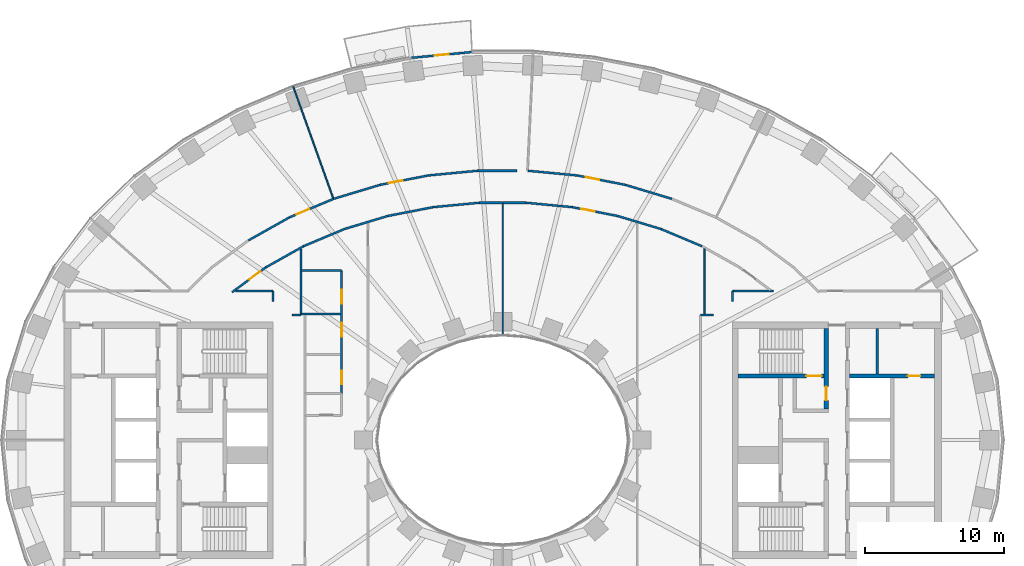
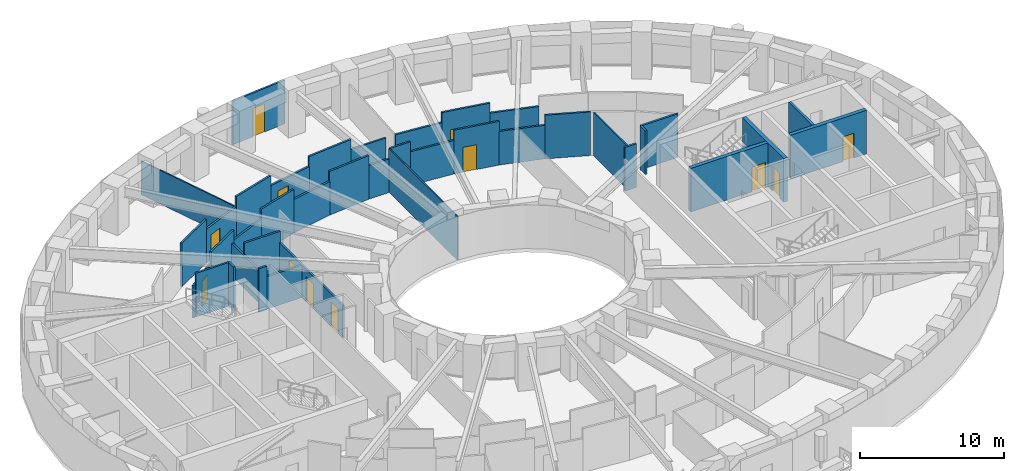
# One storey, part 6 of 16: 39 walls, 12 doors, 12 openings.
"""IFC4 building model written with IfcOpenShell, lengths in metres."""

from ifc_helpers import new_model, si_unit, direction, frame, frame_2d, origin, place, context, subcontext, project, spatial, rectangle, extrude, material, layer, layer_set, type_object, element, fill, save


model = new_model("IFC4")

# Units and contexts
model_context = context("Model", 3, precision=1e-05, world=origin(), true_north=direction((0.0, 1.0)))
body_context = subcontext(model_context, "Body", "Model", "MODEL_VIEW")
ifc_project = project(units=[si_unit("LENGTHUNIT", "METRE"), si_unit("AREAUNIT", "SQUARE_METRE"), si_unit("VOLUMEUNIT", "CUBIC_METRE"), si_unit("PLANEANGLEUNIT", "RADIAN"), si_unit("MASSUNIT", "GRAM", prefix="KILO")], contexts=[model_context])

# Site, building, storey
site_placement = place(None, origin())
site = spatial("IfcSite", under=ifc_project, at=site_placement, CompositionType="ELEMENT")
building_placement = place(site_placement, origin())
building = spatial("IfcBuilding", under=site, at=building_placement, Name="Noorbagh Ring Tower", CompositionType="ELEMENT")
storey_placement = place(building_placement, frame((0.0, 0.0, 78.5)))
storey = spatial("IfcBuildingStorey", under=building, at=storey_placement, Name="L17", CompositionType="ELEMENT", Elevation=78.5)

# Wall
ifc_material_1 = material(Name="Gypsum board on steel studs", Category="steel")
ifc_layer_1 = layer(ifc_material_1, 0.199951171875)
ifc_layer_set_1 = layer_set([ifc_layer_1], Name="Gypsum board on steel studs")
wall_type_1 = type_object("IfcWallType", Name="CORE-PARTITION-200", PredefinedType="PARTITIONING", material=ifc_layer_set_1)
wall_1_placement = place(storey_placement, frame((26.89990234375, 4.75, 0.0), z_axis=(0.0, 0.0, 1.0), x_axis=(0.0, 1.0, 0.0)))
element("IfcWall", 1, at=wall_1_placement, inside=storey, type_object=wall_type_1, Name="Core partition E", PredefinedType="PARTITIONING", context=body_context, shape_type="SweptSolid", body=[
    extrude(rectangle(XDim=3.25, YDim=0.199951171875, at=frame_2d((1.625, 0.0))), origin(), (0.0, 0.0, 1.0), 3.699951171875),
])

# Wall, opening, door
ifc_material_2 = material(Name="Concrete C70/85", Category="concrete")
ifc_layer_2 = layer(ifc_material_2, 0.300048828125)
ifc_layer_set_2 = layer_set([ifc_layer_2], Name="Concrete C70/85")
wall_type_2 = type_object("IfcWallType", Name="CORE-WALL-300-C70-85-EI240", PredefinedType="SHEAR", material=ifc_layer_set_2)
wall_2_placement = place(storey_placement, frame((24.89990234375, 4.60009765625, 0.0), z_axis=(0.0, 0.0, 1.0), x_axis=(1.0, 0.0, 0.0)))
wall_2 = element("IfcWall", 2, at=wall_2_placement, inside=storey, type_object=wall_type_2, Name="Core wall E", PredefinedType="SHEAR", context=body_context, shape_type="SweptSolid", body=[
    extrude(rectangle(XDim=6.10009765625, YDim=0.300048828125, at=frame_2d((3.050048828125, 0.0))), origin(), (0.0, 0.0, 1.0), 3.699951171875),
])
opening_1_placement = place(wall_2_placement, frame((4.199951171875, 0.0, 0.0)))
opening_1 = element("IfcOpeningElement", 3, at=opening_1_placement, cuts=wall_2, Name="Opening L17-CE16", PredefinedType="OPENING", context=body_context, shape_type="SweptSolid", body=[
    extrude(rectangle(XDim=0.89990234375, YDim=2.10009765625, at=frame_2d((0.449951171875, 1.050048828125))), frame((0.0, 0.16015625, 0.0), z_axis=(0.0, -1.0, 0.0), x_axis=(1.0, 0.0, 0.0)), (0.0, 0.0, 1.0), 0.320068359375),
])
ifc_material_3 = material(Name="Steel door leaf", Category="steel")
door_type_1 = type_object("IfcDoorType", Name="CORE-DOOR-DROOM", OperationType="SINGLE_SWING_LEFT", PredefinedType="DOOR", material=ifc_material_3)
door_1_placement = place(opening_1_placement, origin())
door_1 = element("IfcDoor", 4, at=door_1_placement, inside=storey, type_object=door_type_1, Name="Core room door L17-CE16", OperationType="SINGLE_SWING_RIGHT", OverallHeight=2.10009765625, OverallWidth=0.89990234375, PredefinedType="DOOR", context=body_context, shape_type="SweptSolid", body=[
    extrude(rectangle(XDim=0.89990234375, YDim=2.10009765625, at=frame_2d((0.449951171875, 1.050048828125))), frame((0.0, 0.02490234375, 0.0), z_axis=(0.0, -1.0, 0.0), x_axis=(1.0, 0.0, 0.0)), (0.0, 0.0, 1.0), 0.050048828125),
])
fill(opening_1, door_1)

wall_3_placement = place(storey_placement, frame((23.22998046875, 2.25, 0.0), z_axis=(0.0, 0.0, 1.0), x_axis=(0.0, 1.0, 0.0)))
wall_3 = element("IfcWall", 5, at=wall_3_placement, inside=storey, type_object=wall_type_2, Name="Core wall E", PredefinedType="SHEAR", context=body_context, shape_type="SweptSolid", body=[
    extrude(rectangle(XDim=5.75, YDim=0.300048828125, at=frame_2d((2.875, 0.0))), origin(), (0.0, 0.0, 1.0), 3.699951171875),
])
opening_2_placement = place(wall_3_placement, frame((0.60009765625, 0.0, 0.0)))
opening_2 = element("IfcOpeningElement", 6, at=opening_2_placement, cuts=wall_3, Name="Opening L17-CE08", PredefinedType="OPENING", context=body_context, shape_type="SweptSolid", body=[
    extrude(rectangle(XDim=1.0, YDim=2.10009765625, at=frame_2d((0.5, 1.050048828125))), frame((0.0, 0.16015625, 0.0), z_axis=(0.0, -1.0, 0.0), x_axis=(1.0, 0.0, 0.0)), (0.0, 0.0, 1.0), 0.320068359375),
])
ifc_material_4 = material(Name="Steel door leaf", Category="steel")
door_type_2 = type_object("IfcDoorType", Name="CORE-DOOR-DVEST", OperationType="SINGLE_SWING_LEFT", PredefinedType="DOOR", material=ifc_material_4)
door_2_placement = place(opening_2_placement, origin())
door_2 = element("IfcDoor", 7, at=door_2_placement, inside=storey, type_object=door_type_2, Name="Stair vestibule door L17-CE08", OperationType="SINGLE_SWING_RIGHT", OverallHeight=2.10009765625, OverallWidth=1.0, PredefinedType="DOOR", context=body_context, shape_type="SweptSolid", body=[
    extrude(rectangle(XDim=1.0, YDim=2.10009765625, at=frame_2d((0.5, 1.050048828125))), frame((0.0, 0.02490234375, 0.0), z_axis=(0.0, -1.0, 0.0), x_axis=(1.0, 0.0, 0.0)), (0.0, 0.0, 1.0), 0.050048828125),
])
fill(opening_2, door_2)

wall_4_placement = place(storey_placement, frame((16.89990234375, 4.60009765625, 0.0), z_axis=(0.0, 0.0, 1.0), x_axis=(1.0, 0.0, 0.0)))
wall_4 = element("IfcWall", 8, at=wall_4_placement, inside=storey, type_object=wall_type_2, Name="Core wall E", PredefinedType="SHEAR", context=body_context, shape_type="SweptSolid", body=[
    extrude(rectangle(XDim=6.18017578125, YDim=0.300048828125, at=frame_2d((3.090087890625, 0.0))), origin(), (0.0, 0.0, 1.0), 3.699951171875),
])
opening_3_placement = place(wall_4_placement, frame((4.89990234375, 0.0, 0.0)))
opening_3 = element("IfcOpeningElement", 9, at=opening_3_placement, cuts=wall_4, Name="Opening L17-CE05", PredefinedType="OPENING", context=body_context, shape_type="SweptSolid", body=[
    extrude(rectangle(XDim=1.10009765625, YDim=2.10009765625, at=frame_2d((0.550048828125, 1.050048828125))), frame((0.0, 0.16015625, 0.0), z_axis=(0.0, -1.0, 0.0), x_axis=(1.0, 0.0, 0.0)), (0.0, 0.0, 1.0), 0.320068359375),
])
ifc_material_5 = material(Name="Steel door leaf", Category="steel")
door_type_3 = type_object("IfcDoorType", Name="CORE-DOOR-DSTAIR", OperationType="SINGLE_SWING_LEFT", PredefinedType="DOOR", material=ifc_material_5)
door_3_placement = place(opening_3_placement, origin())
door_3 = element("IfcDoor", 10, at=door_3_placement, inside=storey, type_object=door_type_3, Name="Stair door ST3 L17-CE05", OperationType="SINGLE_SWING_LEFT", OverallHeight=2.10009765625, OverallWidth=1.10009765625, PredefinedType="DOOR", context=body_context, shape_type="SweptSolid", body=[
    extrude(rectangle(XDim=1.10009765625, YDim=2.10009765625, at=frame_2d((0.550048828125, 1.050048828125))), frame((0.0, 0.02490234375, 0.0), z_axis=(0.0, -1.0, 0.0), x_axis=(1.0, 0.0, 0.0)), (0.0, 0.0, 1.0), 0.050048828125),
])
fill(opening_3, door_3)

ifc_material_6 = material(Name="Gypsum board on steel studs", Category="steel")
ifc_layer_3 = layer(ifc_material_6, 0.14990234375)
ifc_layer_set_3 = layer_set([ifc_layer_3], Name="Gypsum board on steel studs")
wall_type_3 = type_object("IfcWallType", Name="CORRIDOR PARTITION 150 EI 30", PredefinedType="PARTITIONING", material=ifc_layer_set_3)
wall_5_placement = place(storey_placement, frame((-19.431884765625, 10.625, 0.0), z_axis=(0.0, 0.0, 1.0), x_axis=(0.805306738654, 0.592858378265, 0.0)))
wall_5 = element("IfcWall", 11, at=wall_5_placement, inside=storey, type_object=wall_type_3, Name="L17/wall/P13", PredefinedType="PARTITIONING", context=body_context, shape_type="SweptSolid", body=[
    extrude(rectangle(XDim=3.00732421875, YDim=0.14990234375, at=frame_2d((1.503662109375, 0.0))), origin(), (0.0, 0.0, 1.0), 2.75),
])
opening_4_placement = place(wall_5_placement, frame((1.526611328125, 0.0, 0.0)))
opening_4 = element("IfcOpeningElement", 12, at=opening_4_placement, cuts=wall_5, Name="Opening D1", PredefinedType="OPENING", context=body_context, shape_type="SweptSolid", body=[
    extrude(rectangle(XDim=1.0, YDim=2.10009765625, at=frame_2d((0.5, 1.050048828125))), frame((0.0, 0.0849609375, 0.0), z_axis=(0.0, -1.0, 0.0), x_axis=(1.0, 0.0, 0.0)), (0.0, 0.0, 1.0), 0.169921875),
])
ifc_material_7 = material(Name="Timber, painted", Category="wood")
door_type_4 = type_object("IfcDoorType", Name="DOOR 1000 X 2100 FD30", OperationType="SINGLE_SWING_LEFT", PredefinedType="DOOR", material=ifc_material_7)
door_4_placement = place(opening_4_placement, origin())
door_4 = element("IfcDoor", 13, at=door_4_placement, inside=storey, type_object=door_type_4, Name="L17-D17", OperationType="SINGLE_SWING_RIGHT", OverallHeight=2.10009765625, OverallWidth=1.0, PredefinedType="DOOR", context=body_context, shape_type="SweptSolid", body=[
    extrude(rectangle(XDim=1.0, YDim=2.10009765625, at=frame_2d((0.5, 1.050048828125))), frame((0.0, 0.02490234375, 0.0), z_axis=(0.0, -1.0, 0.0), x_axis=(1.0, 0.0, 0.0)), (0.0, 0.0, 1.0), 0.050048828125),
])
fill(opening_4, door_4)

# Walls
wall_6_placement = place(storey_placement, frame((-19.202880859375, 10.699951171875, 0.0), z_axis=(0.0, 0.0, 1.0), x_axis=(1.0, 0.0, 0.0)))
element("IfcWall", 14, at=wall_6_placement, inside=storey, type_object=wall_type_3, Name="L17/wall/P14", PredefinedType="PARTITIONING", context=body_context, shape_type="SweptSolid", body=[
    extrude(rectangle(XDim=2.702880859375, YDim=0.14990234375, at=frame_2d((1.3515625, 0.0))), origin(), (0.0, 0.0, 1.0), 3.699951171875),
])
wall_7_placement = place(storey_placement, frame((-18.260009765625, 14.343994140625, 0.0), z_axis=(0.0, 0.0, 1.0), x_axis=(0.871958798398, 0.489579262118, 0.0)))
element("IfcWall", 15, at=wall_7_placement, inside=storey, type_object=wall_type_3, Name="L17/wall/P16", PredefinedType="PARTITIONING", context=body_context, shape_type="SweptSolid", body=[
    extrude(rectangle(XDim=3.365966796875, YDim=0.14990234375, at=frame_2d((1.68310546875, 0.0))), origin(), (0.0, 0.0, 1.0), 3.699951171875),
])
wall_8_placement = place(storey_placement, frame((-17.010009765625, 12.407958984375, 0.0), z_axis=(0.0, 0.0, 1.0), x_axis=(0.871977874087, 0.489545286059, 0.0)))
element("IfcWall", 16, at=wall_8_placement, inside=storey, type_object=wall_type_3, Name="L17/wall/P18", PredefinedType="PARTITIONING", context=body_context, shape_type="SweptSolid", body=[
    extrude(rectangle(XDim=3.093017578125, YDim=0.14990234375, at=frame_2d((1.54638671875, 0.0))), origin(), (0.0, 0.0, 1.0), 3.699951171875),
])
wall_9_placement = place(storey_placement, frame((-16.5, 9.964111328125, 0.0), z_axis=(0.0, 0.0, 1.0), x_axis=(0.0, 1.0, 0.0)))
element("IfcWall", 17, at=wall_9_placement, inside=storey, type_object=wall_type_3, Name="L17/wall/P20", PredefinedType="PARTITIONING", context=body_context, shape_type="SweptSolid", body=[
    extrude(rectangle(XDim=0.73583984375, YDim=0.14990234375, at=frame_2d((0.367919921875, 0.0))), origin(), (0.0, 0.0, 1.0), 3.699951171875),
])

# Wall, opening, door
wall_10_placement = place(storey_placement, frame((-15.324951171875, 15.991943359375, 0.0), z_axis=(0.0, 0.0, 1.0), x_axis=(0.921891448612, 0.387448263612, 0.0)))
wall_10 = element("IfcWall", 18, at=wall_10_placement, inside=storey, type_object=wall_type_3, Name="L17/wall/P22", PredefinedType="PARTITIONING", context=body_context, shape_type="SweptSolid", body=[
    extrude(rectangle(XDim=3.443115234375, YDim=0.14990234375, at=frame_2d((1.7216796875, 0.0))), origin(), (0.0, 0.0, 1.0), 2.85009765625),
])
opening_5_placement = place(wall_10_placement, frame((0.54296875, 0.0, 0.0)))
opening_5 = element("IfcOpeningElement", 19, at=opening_5_placement, cuts=wall_10, Name="Opening D1", PredefinedType="OPENING", context=body_context, shape_type="SweptSolid", body=[
    extrude(rectangle(XDim=1.0, YDim=2.10009765625, at=frame_2d((0.5, 1.050048828125))), frame((0.0, 0.0849609375, 0.0), z_axis=(0.0, -1.0, 0.0), x_axis=(1.0, 0.0, 0.0)), (0.0, 0.0, 1.0), 0.169921875),
])
door_5_placement = place(opening_5_placement, origin())
door_5 = element("IfcDoor", 20, at=door_5_placement, inside=storey, type_object=door_type_4, Name="L17-D08", OperationType="SINGLE_SWING_RIGHT", OverallHeight=2.10009765625, OverallWidth=1.0, PredefinedType="DOOR", context=body_context, shape_type="SweptSolid", body=[
    extrude(rectangle(XDim=1.0, YDim=2.10009765625, at=frame_2d((0.5, 1.050048828125))), frame((0.0, 0.02490234375, 0.0), z_axis=(0.0, -1.0, 0.0), x_axis=(1.0, 0.0, 0.0)), (0.0, 0.0, 1.0), 0.050048828125),
])
fill(opening_5, door_5)

# Walls
wall_11_placement = place(storey_placement, frame((-15.134033203125, 9.0, 0.0), z_axis=(0.0, 0.0, 1.0), x_axis=(1.0, 0.0, 0.0)))
element("IfcWall", 21, at=wall_11_placement, inside=storey, type_object=wall_type_3, Name="L17/wall/P24", PredefinedType="PARTITIONING", context=body_context, shape_type="SweptSolid", body=[
    extrude(rectangle(XDim=0.636962890625, YDim=0.14990234375, at=frame_2d((0.318359375, 0.0))), origin(), (0.0, 0.0, 1.0), 3.699951171875),
])
wall_12_placement = place(storey_placement, frame((-14.4970703125, 9.0, 0.0), z_axis=(0.0, 0.0, 1.0), x_axis=(0.0, 1.0, 0.0)))
element("IfcWall", 22, at=wall_12_placement, inside=storey, type_object=wall_type_3, Name="L17/wall/P28", PredefinedType="PARTITIONING", context=body_context, shape_type="SweptSolid", body=[
    extrude(rectangle(XDim=4.72900390625, YDim=0.14990234375, at=frame_2d((2.364501953125, 0.0))), origin(), (0.0, 0.0, 1.0), 2.75),
])
wall_13_placement = place(storey_placement, frame((-14.465087890625, 9.06201171875, 0.0), z_axis=(0.0, 0.0, 1.0), x_axis=(1.0, 0.0, 0.0)))
element("IfcWall", 23, at=wall_13_placement, inside=storey, type_object=wall_type_3, Name="L17/wall/P29", PredefinedType="PARTITIONING", context=body_context, shape_type="SweptSolid", body=[
    extrude(rectangle(XDim=2.8251953125, YDim=0.14990234375, at=frame_2d((1.41259765625, 0.0))), origin(), (0.0, 0.0, 1.0), 2.75),
])
wall_14_placement = place(storey_placement, frame((-14.4609375, 12.181884765625, 0.0), z_axis=(0.0, 0.0, 1.0), x_axis=(1.0, 0.0, 0.0)))
element("IfcWall", 24, at=wall_14_placement, inside=storey, type_object=wall_type_3, Name="L17/wall/P30", PredefinedType="PARTITIONING", context=body_context, shape_type="SweptSolid", body=[
    extrude(rectangle(XDim=2.89599609375, YDim=0.14990234375, at=frame_2d((1.447998046875, 0.0))), origin(), (0.0, 0.0, 1.0), 3.699951171875),
])
wall_15_placement = place(storey_placement, frame((-14.31298828125, 13.922119140625, 0.0), z_axis=(0.0, 0.0, 1.0), x_axis=(0.921799502591, 0.387666966638, 0.0)))
element("IfcWall", 25, at=wall_15_placement, inside=storey, type_object=wall_type_3, Name="L17/wall/P32", PredefinedType="PARTITIONING", context=body_context, shape_type="SweptSolid", body=[
    extrude(rectangle(XDim=3.1904296875, YDim=0.14990234375, at=frame_2d((1.59521484375, 0.0))), origin(), (0.0, 0.0, 1.0), 2.85009765625),
])
wall_16_placement = place(storey_placement, frame((-12.15087890625, 17.325927734375, 0.0), z_axis=(0.0, 0.0, 1.0), x_axis=(0.957528149021, 0.288339806186, 0.0)))
element("IfcWall", 26, at=wall_16_placement, inside=storey, type_object=wall_type_3, Name="L17/wall/P40", PredefinedType="PARTITIONING", context=body_context, shape_type="SweptSolid", body=[
    extrude(rectangle(XDim=3.49951171875, YDim=0.14990234375, at=frame_2d((1.749755859375, 0.0))), origin(), (0.0, 0.0, 1.0), 3.699951171875),
])

# Wall, openings, doors
wall_17_placement = place(storey_placement, frame((-11.56494140625, 3.342041015625, 0.0), z_axis=(0.0, 0.0, 1.0), x_axis=(0.0, 1.0, 0.0)))
wall_17 = element("IfcWall", 27, at=wall_17_placement, inside=storey, type_object=wall_type_3, Name="L17/wall/P42", PredefinedType="PARTITIONING", context=body_context, shape_type="SweptSolid", body=[
    extrude(rectangle(XDim=8.83984375, YDim=0.14990234375, at=frame_2d((4.419921875, 0.0))), origin(), (0.0, 0.0, 1.0), 2.75),
])
opening_6_placement = place(wall_17_placement, frame((6.43994140625, 0.0, 0.0)))
opening_6 = element("IfcOpeningElement", 28, at=opening_6_placement, cuts=wall_17, Name="Opening D3", PredefinedType="OPENING", context=body_context, shape_type="SweptSolid", body=[
    extrude(rectangle(XDim=1.0, YDim=2.10009765625, at=frame_2d((0.5, 1.050048828125))), frame((0.0, 0.0849609375, 0.0), z_axis=(0.0, -1.0, 0.0), x_axis=(1.0, 0.0, 0.0)), (0.0, 0.0, 1.0), 0.169921875),
])
opening_7_placement = place(wall_17_placement, frame((4.070068359375, 0.0, 0.0)))
opening_7 = element("IfcOpeningElement", 29, at=opening_7_placement, cuts=wall_17, Name="Opening D3", PredefinedType="OPENING", context=body_context, shape_type="SweptSolid", body=[
    extrude(rectangle(XDim=1.0, YDim=2.10009765625, at=frame_2d((0.5, 1.050048828125))), frame((0.0, 0.0849609375, 0.0), z_axis=(0.0, -1.0, 0.0), x_axis=(1.0, 0.0, 0.0)), (0.0, 0.0, 1.0), 0.169921875),
])
opening_8_placement = place(wall_17_placement, frame((0.657958984375, 0.0, 0.0)))
opening_8 = element("IfcOpeningElement", 30, at=opening_8_placement, cuts=wall_17, Name="Opening D3", PredefinedType="OPENING", context=body_context, shape_type="SweptSolid", body=[
    extrude(rectangle(XDim=1.0, YDim=2.10009765625, at=frame_2d((0.5, 1.050048828125))), frame((0.0, 0.0849609375, 0.0), z_axis=(0.0, -1.0, 0.0), x_axis=(1.0, 0.0, 0.0)), (0.0, 0.0, 1.0), 0.169921875),
])
ifc_material_8 = material(Name="Timber, painted", Category="wood")
door_type_5 = type_object("IfcDoorType", Name="DOOR 1000 X 2100 WC", OperationType="SINGLE_SWING_LEFT", PredefinedType="DOOR", material=ifc_material_8)
door_6_placement = place(opening_6_placement, origin())
door_6 = element("IfcDoor", 31, at=door_6_placement, inside=storey, type_object=door_type_5, Name="L17-D02", OperationType="SINGLE_SWING_RIGHT", OverallHeight=2.10009765625, OverallWidth=1.0, PredefinedType="DOOR", context=body_context, shape_type="SweptSolid", body=[
    extrude(rectangle(XDim=1.0, YDim=2.10009765625, at=frame_2d((0.5, 1.050048828125))), frame((0.0, 0.02490234375, 0.0), z_axis=(0.0, -1.0, 0.0), x_axis=(1.0, 0.0, 0.0)), (0.0, 0.0, 1.0), 0.050048828125),
])
fill(opening_6, door_6)
door_7_placement = place(opening_7_placement, origin())
door_7 = element("IfcDoor", 32, at=door_7_placement, inside=storey, type_object=door_type_5, Name="L17-D03", OperationType="SINGLE_SWING_LEFT", OverallHeight=2.10009765625, OverallWidth=1.0, PredefinedType="DOOR", context=body_context, shape_type="SweptSolid", body=[
    extrude(rectangle(XDim=1.0, YDim=2.10009765625, at=frame_2d((0.5, 1.050048828125))), frame((0.0, 0.02490234375, 0.0), z_axis=(0.0, -1.0, 0.0), x_axis=(1.0, 0.0, 0.0)), (0.0, 0.0, 1.0), 0.050048828125),
])
fill(opening_7, door_7)
door_8_placement = place(opening_8_placement, origin())
door_8 = element("IfcDoor", 33, at=door_8_placement, inside=storey, type_object=door_type_5, Name="L17-D04", OperationType="SINGLE_SWING_RIGHT", OverallHeight=2.10009765625, OverallWidth=1.0, PredefinedType="DOOR", context=body_context, shape_type="SweptSolid", body=[
    extrude(rectangle(XDim=1.0, YDim=2.10009765625, at=frame_2d((0.5, 1.050048828125))), frame((0.0, 0.02490234375, 0.0), z_axis=(0.0, -1.0, 0.0), x_axis=(1.0, 0.0, 0.0)), (0.0, 0.0, 1.0), 0.050048828125),
])
fill(opening_8, door_8)

# Wall
wall_18_placement = place(storey_placement, frame((-11.3720703125, 15.158935546875, 0.0), z_axis=(0.0, 0.0, 1.0), x_axis=(0.95757464185, 0.28818536619, 0.0)))
element("IfcWall", 34, at=wall_18_placement, inside=storey, type_object=wall_type_3, Name="L17/wall/P44", PredefinedType="PARTITIONING", context=body_context, shape_type="SweptSolid", body=[
    extrude(rectangle(XDim=3.262451171875, YDim=0.14990234375, at=frame_2d((1.63134765625, 0.0))), origin(), (0.0, 0.0, 1.0), 3.699951171875),
])

# Wall, opening, door
wall_19_placement = place(storey_placement, frame((-8.800048828125, 18.3349609375, 0.0), z_axis=(0.0, 0.0, 1.0), x_axis=(0.981620418387, 0.190843795306, 0.0)))
wall_19 = element("IfcWall", 35, at=wall_19_placement, inside=storey, type_object=wall_type_3, Name="L17/wall/P47", PredefinedType="PARTITIONING", context=body_context, shape_type="SweptSolid", body=[
    extrude(rectangle(XDim=3.537109375, YDim=0.14990234375, at=frame_2d((1.7685546875, 0.0))), origin(), (0.0, 0.0, 1.0), 2.85009765625),
])
opening_9_placement = place(wall_19_placement, frame((0.636962890625, 0.0, 0.0)))
opening_9 = element("IfcOpeningElement", 36, at=opening_9_placement, cuts=wall_19, Name="Opening D1", PredefinedType="OPENING", context=body_context, shape_type="SweptSolid", body=[
    extrude(rectangle(XDim=1.0, YDim=2.10009765625, at=frame_2d((0.5, 1.050048828125))), frame((0.0, 0.0849609375, 0.0), z_axis=(0.0, -1.0, 0.0), x_axis=(1.0, 0.0, 0.0)), (0.0, 0.0, 1.0), 0.169921875),
])
door_9_placement = place(opening_9_placement, origin())
door_9 = element("IfcDoor", 37, at=door_9_placement, inside=storey, type_object=door_type_4, Name="L17-D10", OperationType="SINGLE_SWING_RIGHT", OverallHeight=2.10009765625, OverallWidth=1.0, PredefinedType="DOOR", context=body_context, shape_type="SweptSolid", body=[
    extrude(rectangle(XDim=1.0, YDim=2.10009765625, at=frame_2d((0.5, 1.050048828125))), frame((0.0, 0.02490234375, 0.0), z_axis=(0.0, -1.0, 0.0), x_axis=(1.0, 0.0, 0.0)), (0.0, 0.0, 1.0), 0.050048828125),
])
fill(opening_9, door_9)

# Walls
wall_20_placement = place(storey_placement, frame((-8.248046875, 16.09912109375, 0.0), z_axis=(0.0, 0.0, 1.0), x_axis=(0.981621529558, 0.190838079815, 0.0)))
element("IfcWall", 38, at=wall_20_placement, inside=storey, type_object=wall_type_3, Name="L17/wall/P49", PredefinedType="PARTITIONING", context=body_context, shape_type="SweptSolid", body=[
    extrude(rectangle(XDim=3.310791015625, YDim=0.14990234375, at=frame_2d((1.6552734375, 0.0))), origin(), (0.0, 0.0, 1.0), 2.85009765625),
])
wall_21_placement = place(storey_placement, frame((-5.327880859375, 19.010009765625, 0.0), z_axis=(0.0, 0.0, 1.0), x_axis=(0.995485604231, 0.094912653366, 0.0)))
element("IfcWall", 39, at=wall_21_placement, inside=storey, type_object=wall_type_3, Name="L17/wall/P51", PredefinedType="PARTITIONING", context=body_context, shape_type="SweptSolid", body=[
    extrude(rectangle(XDim=3.56005859375, YDim=0.14990234375, at=frame_2d((1.780029296875, 0.0))), origin(), (0.0, 0.0, 1.0), 3.699951171875),
])
wall_22_placement = place(storey_placement, frame((-4.998046875, 16.73095703125, 0.0), z_axis=(0.0, 0.0, 1.0), x_axis=(0.995479356205, 0.094978162593, 0.0)))
element("IfcWall", 40, at=wall_22_placement, inside=storey, type_object=wall_type_3, Name="L17/wall/P53", PredefinedType="PARTITIONING", context=body_context, shape_type="SweptSolid", body=[
    extrude(rectangle(XDim=3.339111328125, YDim=0.14990234375, at=frame_2d((1.66943359375, 0.0))), origin(), (0.0, 0.0, 1.0), 3.699951171875),
])
wall_23_placement = place(storey_placement, frame((-1.783935546875, 19.347900390625, 0.0), z_axis=(0.0, 0.0, 1.0), x_axis=(1.0, 0.0, 0.0)))
element("IfcWall", 41, at=wall_23_placement, inside=storey, type_object=wall_type_3, Name="L17/wall/P55", PredefinedType="PARTITIONING", context=body_context, shape_type="SweptSolid", body=[
    extrude(rectangle(XDim=2.821044921875, YDim=0.14990234375, at=frame_2d((1.41064453125, 0.0))), origin(), (0.0, 0.0, 1.0), 2.85009765625),
])
wall_24_placement = place(storey_placement, frame((-1.674072265625, 17.048095703125, 0.0), z_axis=(0.0, 0.0, 1.0), x_axis=(1.0, 0.0, 0.0)))
element("IfcWall", 42, at=wall_24_placement, inside=storey, type_object=wall_type_3, Name="L17/wall/P57", PredefinedType="PARTITIONING", context=body_context, shape_type="SweptSolid", body=[
    extrude(rectangle(XDim=1.674072265625, YDim=0.14990234375, at=frame_2d((0.8369140625, 0.0))), origin(), (0.0, 0.0, 1.0), 2.85009765625),
])
wall_25_placement = place(storey_placement, frame((0.02001953125, 17.048095703125, 0.0), z_axis=(0.0, 0.0, 1.0), x_axis=(1.0, 0.0, 0.0)))
element("IfcWall", 43, at=wall_25_placement, inside=storey, type_object=wall_type_3, Name="L17/wall/P61", PredefinedType="PARTITIONING", context=body_context, shape_type="SweptSolid", body=[
    extrude(rectangle(XDim=1.654052734375, YDim=0.14990234375, at=frame_2d((0.8271484375, 0.0))), origin(), (0.0, 0.0, 1.0), 3.699951171875),
])
wall_26_placement = place(storey_placement, frame((1.674072265625, 17.048095703125, 0.0), z_axis=(0.0, 0.0, 1.0), x_axis=(0.995479356205, -0.094978162593, 0.0)))
element("IfcWall", 44, at=wall_26_placement, inside=storey, type_object=wall_type_3, Name="L17/wall/P63", PredefinedType="PARTITIONING", context=body_context, shape_type="SweptSolid", body=[
    extrude(rectangle(XDim=3.339111328125, YDim=0.14990234375, at=frame_2d((1.66943359375, 0.0))), origin(), (0.0, 0.0, 1.0), 2.85009765625),
])
wall_27_placement = place(storey_placement, frame((1.803955078125, 19.345947265625, 0.0), z_axis=(0.0, 0.0, 1.0), x_axis=(0.99548678928, -0.094900223226, 0.0)))
element("IfcWall", 45, at=wall_27_placement, inside=storey, type_object=wall_type_3, Name="L17/wall/P67", PredefinedType="PARTITIONING", context=body_context, shape_type="SweptSolid", body=[
    extrude(rectangle(XDim=3.539794921875, YDim=0.14990234375, at=frame_2d((1.77001953125, 0.0))), origin(), (0.0, 0.0, 1.0), 2.85009765625),
])

# Wall, opening, door
wall_28_placement = place(storey_placement, frame((4.998046875, 16.73095703125, 0.0), z_axis=(0.0, 0.0, 1.0), x_axis=(0.981621529558, -0.190838079815, 0.0)))
wall_28 = element("IfcWall", 46, at=wall_28_placement, inside=storey, type_object=wall_type_3, Name="L17/wall/P69", PredefinedType="PARTITIONING", context=body_context, shape_type="SweptSolid", body=[
    extrude(rectangle(XDim=3.310791015625, YDim=0.14990234375, at=frame_2d((1.6552734375, 0.0))), origin(), (0.0, 0.0, 1.0), 3.699951171875),
])
opening_10_placement = place(wall_28_placement, frame((0.64990234375, 0.0, 0.0)))
opening_10 = element("IfcOpeningElement", 47, at=opening_10_placement, cuts=wall_28, Name="Opening D1", PredefinedType="OPENING", context=body_context, shape_type="SweptSolid", body=[
    extrude(rectangle(XDim=1.0, YDim=2.10009765625, at=frame_2d((0.5, 1.050048828125))), frame((0.0, 0.0849609375, 0.0), z_axis=(0.0, -1.0, 0.0), x_axis=(1.0, 0.0, 0.0)), (0.0, 0.0, 1.0), 0.169921875),
])
door_10_placement = place(opening_10_placement, origin())
door_10 = element("IfcDoor", 48, at=door_10_placement, inside=storey, type_object=door_type_4, Name="L17-D19", OperationType="SINGLE_SWING_LEFT", OverallHeight=2.10009765625, OverallWidth=1.0, PredefinedType="DOOR", context=body_context, shape_type="SweptSolid", body=[
    extrude(rectangle(XDim=1.0, YDim=2.10009765625, at=frame_2d((0.5, 1.050048828125))), frame((0.0, 0.02490234375, 0.0), z_axis=(0.0, -1.0, 0.0), x_axis=(1.0, 0.0, 0.0)), (0.0, 0.0, 1.0), 0.050048828125),
])
fill(opening_10, door_10)

wall_29_placement = place(storey_placement, frame((5.327880859375, 19.010009765625, 0.0), z_axis=(0.0, 0.0, 1.0), x_axis=(0.981620418387, -0.190843795306, 0.0)))
wall_29 = element("IfcWall", 49, at=wall_29_placement, inside=storey, type_object=wall_type_3, Name="L17/wall/P71", PredefinedType="PARTITIONING", context=body_context, shape_type="SweptSolid", body=[
    extrude(rectangle(XDim=3.537109375, YDim=0.14990234375, at=frame_2d((1.7685546875, 0.0))), origin(), (0.0, 0.0, 1.0), 3.699951171875),
])
opening_11_placement = place(wall_29_placement, frame((0.636962890625, 0.0, 0.0)))
opening_11 = element("IfcOpeningElement", 50, at=opening_11_placement, cuts=wall_29, Name="Opening D1", PredefinedType="OPENING", context=body_context, shape_type="SweptSolid", body=[
    extrude(rectangle(XDim=1.0, YDim=2.10009765625, at=frame_2d((0.5, 1.050048828125))), frame((0.0, 0.0849609375, 0.0), z_axis=(0.0, -1.0, 0.0), x_axis=(1.0, 0.0, 0.0)), (0.0, 0.0, 1.0), 0.169921875),
])
door_11_placement = place(opening_11_placement, origin())
door_11 = element("IfcDoor", 51, at=door_11_placement, inside=storey, type_object=door_type_4, Name="L17-D12", OperationType="SINGLE_SWING_RIGHT", OverallHeight=2.10009765625, OverallWidth=1.0, PredefinedType="DOOR", context=body_context, shape_type="SweptSolid", body=[
    extrude(rectangle(XDim=1.0, YDim=2.10009765625, at=frame_2d((0.5, 1.050048828125))), frame((0.0, 0.02490234375, 0.0), z_axis=(0.0, -1.0, 0.0), x_axis=(1.0, 0.0, 0.0)), (0.0, 0.0, 1.0), 0.050048828125),
])
fill(opening_11, door_11)

# Walls
wall_30_placement = place(storey_placement, frame((8.248046875, 16.09912109375, 0.0), z_axis=(0.0, 0.0, 1.0), x_axis=(0.95757464185, -0.28818536619, 0.0)))
element("IfcWall", 52, at=wall_30_placement, inside=storey, type_object=wall_type_3, Name="L17/wall/P73", PredefinedType="PARTITIONING", context=body_context, shape_type="SweptSolid", body=[
    extrude(rectangle(XDim=3.262451171875, YDim=0.14990234375, at=frame_2d((1.63134765625, 0.0))), origin(), (0.0, 0.0, 1.0), 2.85009765625),
])
wall_31_placement = place(storey_placement, frame((8.800048828125, 18.3349609375, 0.0), z_axis=(0.0, 0.0, 1.0), x_axis=(0.957528149021, -0.288339806186, 0.0)))
element("IfcWall", 53, at=wall_31_placement, inside=storey, type_object=wall_type_3, Name="L17/wall/P75", PredefinedType="PARTITIONING", context=body_context, shape_type="SweptSolid", body=[
    extrude(rectangle(XDim=3.49951171875, YDim=0.14990234375, at=frame_2d((1.749755859375, 0.0))), origin(), (0.0, 0.0, 1.0), 2.85009765625),
])
wall_32_placement = place(storey_placement, frame((11.3720703125, 15.158935546875, 0.0), z_axis=(0.0, 0.0, 1.0), x_axis=(0.921799502591, -0.387666966638, 0.0)))
element("IfcWall", 54, at=wall_32_placement, inside=storey, type_object=wall_type_3, Name="L17/wall/P78", PredefinedType="PARTITIONING", context=body_context, shape_type="SweptSolid", body=[
    extrude(rectangle(XDim=3.1904296875, YDim=0.14990234375, at=frame_2d((1.59521484375, 0.0))), origin(), (0.0, 0.0, 1.0), 3.699951171875),
])
wall_33_placement = place(storey_placement, frame((14.199951171875, 9.0, 0.0), z_axis=(0.0, 0.0, 1.0), x_axis=(1.0, 0.0, 0.0)))
element("IfcWall", 55, at=wall_33_placement, inside=storey, type_object=wall_type_3, Name="L17/wall/P83", PredefinedType="PARTITIONING", context=body_context, shape_type="SweptSolid", body=[
    extrude(rectangle(XDim=0.93408203125, YDim=0.14990234375, at=frame_2d((0.467041015625, 0.0))), origin(), (0.0, 0.0, 1.0), 3.699951171875),
])
wall_34_placement = place(storey_placement, frame((16.5, 9.964111328125, 0.0), z_axis=(0.0, 0.0, 1.0), x_axis=(0.0, 1.0, 0.0)))
element("IfcWall", 56, at=wall_34_placement, inside=storey, type_object=wall_type_3, Name="L17/wall/P94", PredefinedType="PARTITIONING", context=body_context, shape_type="SweptSolid", body=[
    extrude(rectangle(XDim=0.73583984375, YDim=0.14990234375, at=frame_2d((0.367919921875, 0.0))), origin(), (0.0, 0.0, 1.0), 3.699951171875),
])
wall_35_placement = place(storey_placement, frame((16.5, 10.699951171875, 0.0), z_axis=(0.0, 0.0, 1.0), x_axis=(1.0, 0.0, 0.0)))
element("IfcWall", 57, at=wall_35_placement, inside=storey, type_object=wall_type_3, Name="L17/wall/P95", PredefinedType="PARTITIONING", context=body_context, shape_type="SweptSolid", body=[
    extrude(rectangle(XDim=2.95703125, YDim=0.14990234375, at=frame_2d((1.478515625, 0.0))), origin(), (0.0, 0.0, 1.0), 3.699951171875),
])

# Wall, opening, door
ifc_material_9 = material(Name="Insulated aluminium clad panel", Category="aluminium")
ifc_layer_4 = layer(ifc_material_9, 0.14990234375)
ifc_layer_set_4 = layer_set([ifc_layer_4], Name="Insulated aluminium clad panel")
wall_type_4 = type_object("IfcWallType", Name="ENV-WALL-DOOR", PredefinedType="STANDARD", material=ifc_layer_set_4)
wall_36_placement = place(storey_placement, frame((-2.166259765625, 27.875244140625, 0.0), z_axis=(0.0, 0.0, 1.0), x_axis=(-0.995473879823, -0.095035543824, 0.0)))
wall_36 = element("IfcWall", 58, at=wall_36_placement, inside=storey, type_object=wall_type_4, Name="Balcony door wall chord 13", PredefinedType="STANDARD", context=body_context, shape_type="SweptSolid", body=[
    extrude(rectangle(XDim=4.42626953125, YDim=0.14990234375, at=frame_2d((2.213134765625, 0.0))), origin(), (0.0, 0.0, 1.0), 3.699951171875),
])
opening_12_placement = place(wall_36_placement, frame((1.713134765625, 0.0, 0.0)))
opening_12 = element("IfcOpeningElement", 59, at=opening_12_placement, cuts=wall_36, Name="Opening D-BL", PredefinedType="OPENING", context=body_context, shape_type="SweptSolid", body=[
    extrude(rectangle(XDim=1.0, YDim=2.39990234375, at=frame_2d((0.5, 1.199951171875))), frame((0.0, 0.0849609375, 0.0), z_axis=(0.0, -1.0, 0.0), x_axis=(1.0, 0.0, 0.0)), (0.0, 0.0, 1.0), 0.169921875),
])
ifc_material_10 = material(Name="Aluminium and glass", Category="aluminium")
door_type_6 = type_object("IfcDoorType", Name="ENV-DOOR-BALCONY", OperationType="SINGLE_SWING_LEFT", PredefinedType="DOOR", material=ifc_material_10)
door_12_placement = place(opening_12_placement, origin())
door_12 = element("IfcDoor", 60, at=door_12_placement, inside=storey, type_object=door_type_6, Name="Balcony door chord 13", OperationType="SINGLE_SWING_RIGHT", OverallHeight=2.39990234375, OverallWidth=1.0, PredefinedType="DOOR", context=body_context, shape_type="SweptSolid", body=[
    extrude(rectangle(XDim=1.0, YDim=2.39990234375, at=frame_2d((0.5, 1.199951171875))), frame((0.0, 0.02490234375, 0.0), z_axis=(0.0, -1.0, 0.0), x_axis=(1.0, 0.0, 0.0)), (0.0, 0.0, 1.0), 0.050048828125),
])
fill(opening_12, door_12)

# Walls
ifc_material_11 = material(Name="Gypsum board on steel studs", Category="steel")
ifc_layer_5 = layer(ifc_material_11, 0.10009765625)
ifc_layer_set_5 = layer_set([ifc_layer_5], Name="Gypsum board on steel studs")
wall_type_5 = type_object("IfcWallType", Name="PARTITION 100 GYPSUM", PredefinedType="PARTITIONING", material=ifc_layer_set_5)
wall_37_placement = place(storey_placement, frame((-15.048095703125, 25.383056640625, 0.0), z_axis=(0.0, 0.0, 1.0), x_axis=(0.338300183564, -0.941038248851, 0.0)))
element("IfcWall", 61, at=wall_37_placement, inside=storey, type_object=wall_type_5, Name="L17/wall/P26", PredefinedType="PARTITIONING", context=body_context, shape_type="SweptSolid", body=[
    extrude(rectangle(XDim=8.5576171875, YDim=0.10009765625, at=frame_2d((4.27880859375, 0.0))), origin(), (0.0, 0.0, 1.0), 2.85009765625),
])
wall_38_placement = place(storey_placement, frame((0.0, 7.50390625, 0.0), z_axis=(0.0, 0.0, 1.0), x_axis=(0.0, 1.0, 0.0)))
element("IfcWall", 62, at=wall_38_placement, inside=storey, type_object=wall_type_5, Name="L17/wall/P60", PredefinedType="PARTITIONING", context=body_context, shape_type="SweptSolid", body=[
    extrude(rectangle(XDim=9.5400390625, YDim=0.10009765625, at=frame_2d((4.77001953125, 0.0))), origin(), (0.0, 0.0, 1.0), 3.699951171875),
])
wall_39_placement = place(storey_placement, frame((14.4970703125, 9.074951171875, 0.0), z_axis=(0.0, 0.0, 1.0), x_axis=(0.0, 1.0, 0.0)))
element("IfcWall", 63, at=wall_39_placement, inside=storey, type_object=wall_type_5, Name="L17/wall/P87", PredefinedType="PARTITIONING", context=body_context, shape_type="SweptSolid", body=[
    extrude(rectangle(XDim=4.654052734375, YDim=0.10009765625, at=frame_2d((2.3271484375, 0.0))), origin(), (0.0, 0.0, 1.0), 3.699951171875),
])

save(model, "model.ifc")
